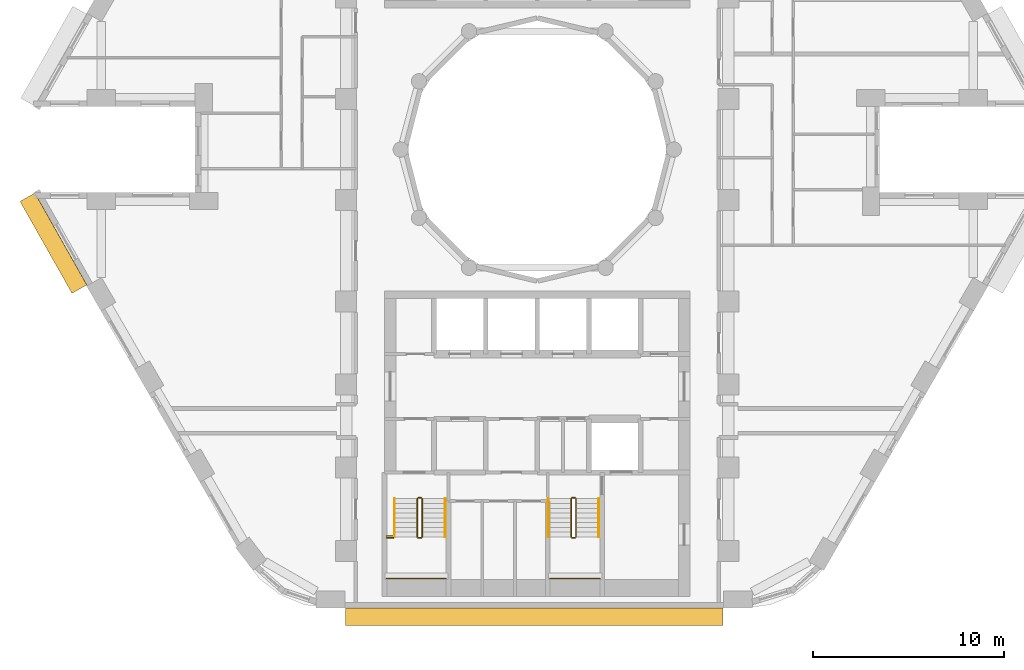
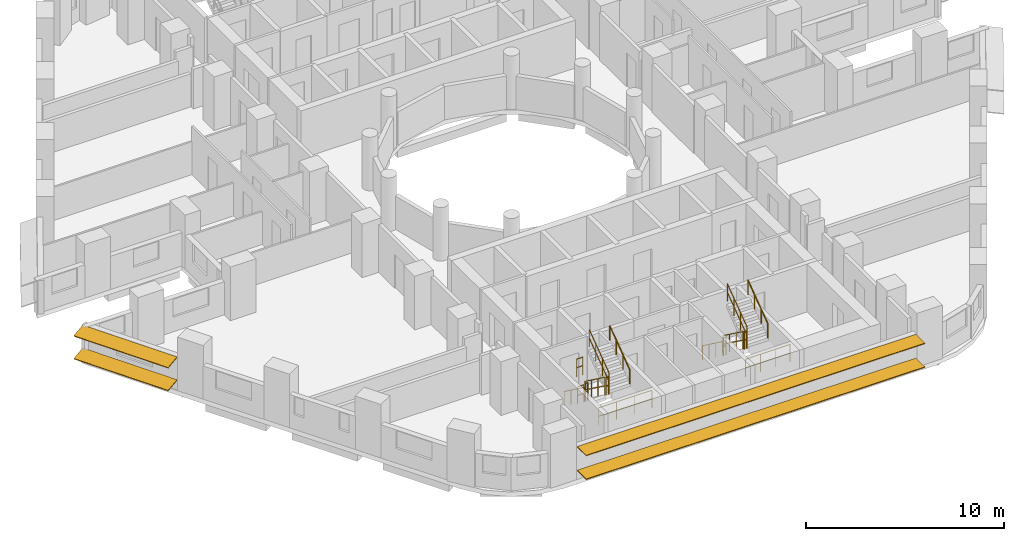
# One storey, part 11 of 13: 16 railings, 4 shading devices.
"""IFC4 building model written with IfcOpenShell, lengths in metres."""

from ifc_helpers import new_model, si_unit, direction, frame, origin, origin_2d, place, context, subcontext, project, spatial, rectangle, circle, extrude, material, material_profile, profile_set, type_object, element, save


model = new_model("IFC4")

# Units and contexts
model_context = context("Model", 3, precision=1e-05, world=origin(), true_north=direction((0.0, 1.0)))
body_context = subcontext(model_context, "Body", "Model", "MODEL_VIEW")
ifc_project = project(units=[si_unit("LENGTHUNIT", "METRE"), si_unit("AREAUNIT", "SQUARE_METRE"), si_unit("VOLUMEUNIT", "CUBIC_METRE"), si_unit("PLANEANGLEUNIT", "RADIAN"), si_unit("MASSUNIT", "GRAM", prefix="KILO")], contexts=[model_context])

# Site, building, storey
site_placement = place(None, origin())
site = spatial("IfcSite", under=ifc_project, at=site_placement, CompositionType="ELEMENT")
building_placement = place(site_placement, origin())
building = spatial("IfcBuilding", under=site, at=building_placement, Name="Nakaniwa Court", CompositionType="ELEMENT")
storey_placement = place(building_placement, frame((0.0, 0.0, 67.800048828125)))
storey = spatial("IfcBuildingStorey", under=building, at=storey_placement, Name="L18", CompositionType="ELEMENT", Elevation=67.800048828125)

# Shading devices
ifc_material_1 = material(Name="Perforated charcoal ceramic louvre blade")
ifc_material_profile = material_profile(ifc_material_1, rectangle(XDim=0.89990234375, YDim=0.050048828125, at=origin_2d()), Name="Perforated ceramic louvre blade")
ifc_profile_set = profile_set([ifc_material_profile], Name="Perforated charcoal ceramic louvre blade")
shading_device_type = type_object("IfcShadingDeviceType", Name="Perforated ceramic louvre blade", PredefinedType="JALOUSIE", material=ifc_profile_set)
for number, where, z_axis, x_axis, name in (
    (1, (53.31689453125, 77.508056640625, 0.550048828125), (0.492342539441, -0.870401530247, 0.0), (0.86275552304, 0.488017576221, 0.132256390257), "L18 perforated ceramic louvre blade w20 1"),
    (2, (53.31689453125, 77.508056640625, 1.95556640625), (0.492342539441, -0.870401530247, 0.0), (0.86275552304, 0.488017576221, 0.132256390257), "L18 perforated ceramic louvre blade w20 2"),
):
    element("IfcShadingDevice", number, at=place(storey_placement, frame(where, z_axis=z_axis, x_axis=x_axis)), inside=storey, type_object=shading_device_type, Name=name, PredefinedType="JALOUSIE", context=body_context, shape_type="SweptSolid", body=[
        extrude(rectangle(XDim=0.89990234375, YDim=0.050048828125, at=origin_2d()), origin(), (0.0, 0.0, 1.0), 5.526611328125),
    ])
for number, where, z_axis, x_axis, name in (
    (3, (69.97119140625, 55.550048828125, 0.550048828125), (1.0, 0.0, 0.0), (0.0, 1.0, 0.0), "L18 perforated ceramic louvre blade w26 1"),
    (4, (69.97119140625, 55.550048828125, 2.014892578125), (1.0, 0.0, 0.0), (0.0, 1.0, 0.0), "L18 perforated ceramic louvre blade w26 2"),
):
    element("IfcShadingDevice", number, at=place(storey_placement, frame(where, z_axis=z_axis, x_axis=x_axis)), inside=storey, type_object=shading_device_type, Name=name, PredefinedType="JALOUSIE", context=body_context, shape_type="SweptSolid", body=[
        extrude(rectangle(XDim=0.89990234375, YDim=0.050048828125, at=origin_2d()), origin(), (0.0, 0.0, 1.0), 19.739990234375),
    ])

# Railings
ifc_material_2 = material(Name="Black powder coated steel guard", Category="steel")
railing_type_1 = type_object("IfcRailingType", Name="Stair guard 1100", PredefinedType="GUARDRAIL", material=ifc_material_2)
railing_1_placement = place(storey_placement, frame((73.72509765625, 61.72509765625, 0.183349609375)))
element("IfcRailing", 5, at=railing_1_placement, inside=storey, type_object=railing_type_1, Name="L18 ST3 stair guard 1", PredefinedType="GUARDRAIL", context=body_context, shape_type="SweptSolid", body=[
    extrude(circle(Radius=0.02392578125, at=origin_2d()), frame((0.0, 0.0, 1.076171875), z_axis=(0.0, -0.806426902644, 0.591333789573), x_axis=(1.0, 0.0, 0.0)), (0.0, 0.0, 1.0), 2.47998046875),
    extrude(circle(Radius=0.02392578125, at=origin_2d()), frame((0.0, 0.0, 0.550048828125), z_axis=(0.0, -0.806426902644, 0.591333789573), x_axis=(1.0, 0.0, 0.0)), (0.0, 0.0, 1.0), 2.47998046875),
    extrude(circle(Radius=0.02099609375, at=origin_2d()), origin(), (0.0, 0.0, 1.0), 1.052001953125),
    extrude(circle(Radius=0.02099609375, at=origin_2d()), frame((0.0, -0.666748046875, 0.48876953125)), (0.0, 0.0, 1.0), 1.052001953125),
    extrude(circle(Radius=0.02099609375, at=origin_2d()), frame((0.0, -1.333251953125, 0.977783203125)), (0.0, 0.0, 1.0), 1.052001953125),
    extrude(circle(Radius=0.02099609375, at=origin_2d()), frame((0.0, -2.0, 1.466552734375)), (0.0, 0.0, 1.0), 1.052001953125),
])
railing_2_placement = place(storey_placement, frame((73.77490234375, 59.675048828125, 1.64990234375)))
element("IfcRailing", 6, at=railing_2_placement, inside=storey, type_object=railing_type_1, Name="L18 ST3 stair guard 2", PredefinedType="GUARDRAIL", context=body_context, shape_type="SweptSolid", body=[
    extrude(circle(Radius=0.02392578125, at=origin_2d()), frame((0.0, 0.0, 1.076171875), z_axis=(1.0, 0.0, 0.0), x_axis=(0.0, 1.0, 0.0)), (0.0, 0.0, 1.0), 0.150146484375),
    extrude(circle(Radius=0.02392578125, at=origin_2d()), frame((0.0, 0.0, 0.550048828125), z_axis=(1.0, 0.0, 0.0), x_axis=(0.0, 1.0, 0.0)), (0.0, 0.0, 1.0), 0.150146484375),
    extrude(circle(Radius=0.02099609375, at=origin_2d()), origin(), (0.0, 0.0, 1.0), 1.052001953125),
    extrude(circle(Radius=0.02099609375, at=origin_2d()), frame((0.150146484375, 0.0, 0.0)), (0.0, 0.0, 1.0), 1.052001953125),
])
railing_3_placement = place(storey_placement, frame((73.97509765625, 59.72509765625, 1.833251953125)))
element("IfcRailing", 7, at=railing_3_placement, inside=storey, type_object=railing_type_1, Name="L18 ST3 stair guard 3", PredefinedType="GUARDRAIL", context=body_context, shape_type="SweptSolid", body=[
    extrude(circle(Radius=0.02392578125, at=origin_2d()), frame((0.0, 0.0, 1.076171875), z_axis=(0.0, 0.806379959628, 0.591397802423), x_axis=(-1.0, 0.0, 0.0)), (0.0, 0.0, 1.0), 2.480224609375),
    extrude(circle(Radius=0.02392578125, at=origin_2d()), frame((0.0, 0.0, 0.550048828125), z_axis=(0.0, 0.806379959628, 0.591397802423), x_axis=(-1.0, 0.0, 0.0)), (0.0, 0.0, 1.0), 2.480224609375),
    extrude(circle(Radius=0.02099609375, at=origin_2d()), origin(), (0.0, 0.0, 1.0), 1.052001953125),
    extrude(circle(Radius=0.02099609375, at=origin_2d()), frame((0.0, 0.666748046875, 0.489013671875)), (0.0, 0.0, 1.0), 1.052001953125),
    extrude(circle(Radius=0.02099609375, at=origin_2d()), frame((0.0, 1.333251953125, 0.977783203125)), (0.0, 0.0, 1.0), 1.052001953125),
    extrude(circle(Radius=0.02099609375, at=origin_2d()), frame((0.0, 2.0, 1.466796875)), (0.0, 0.0, 1.0), 1.052001953125),
])
railing_4_placement = place(storey_placement, frame((73.77490234375, 61.77490234375, 0.0)))
element("IfcRailing", 8, at=railing_4_placement, inside=storey, type_object=railing_type_1, Name="L18 ST3 stair guard 4", PredefinedType="GUARDRAIL", context=body_context, shape_type="SweptSolid", body=[
    extrude(circle(Radius=0.02392578125, at=origin_2d()), frame((0.0, 0.0, 1.076171875), z_axis=(1.0, 0.0, 0.0), x_axis=(0.0, 1.0, 0.0)), (0.0, 0.0, 1.0), 0.150146484375),
    extrude(circle(Radius=0.02392578125, at=origin_2d()), frame((0.0, 0.0, 0.550048828125), z_axis=(1.0, 0.0, 0.0), x_axis=(0.0, 1.0, 0.0)), (0.0, 0.0, 1.0), 0.150146484375),
    extrude(circle(Radius=0.02099609375, at=origin_2d()), origin(), (0.0, 0.0, 1.0), 1.052001953125),
    extrude(circle(Radius=0.02099609375, at=origin_2d()), frame((0.150146484375, 0.0, 0.0)), (0.0, 0.0, 1.0), 1.052001953125),
])
railing_5_placement = place(storey_placement, frame((72.125, 57.550048828125, 1.64990234375)))
element("IfcRailing", 9, at=railing_5_placement, inside=storey, type_object=railing_type_1, Name="L18 ST3 landing end guard 1", PredefinedType="GUARDRAIL", context=body_context, shape_type="SweptSolid", body=[
    extrude(circle(Radius=0.02392578125, at=origin_2d()), frame((0.0, 0.0, 1.076171875), z_axis=(1.0, 0.0, 0.0), x_axis=(0.0, 1.0, 0.0)), (0.0, 0.0, 1.0), 3.10009765625),
    extrude(circle(Radius=0.02392578125, at=origin_2d()), frame((0.0, 0.0, 0.550048828125), z_axis=(1.0, 0.0, 0.0), x_axis=(0.0, 1.0, 0.0)), (0.0, 0.0, 1.0), 3.10009765625),
    extrude(circle(Radius=0.02099609375, at=origin_2d()), origin(), (0.0, 0.0, 1.0), 1.052001953125),
    extrude(circle(Radius=0.02099609375, at=origin_2d()), frame((1.033447265625, 0.0, 0.0)), (0.0, 0.0, 1.0), 1.052001953125),
    extrude(circle(Radius=0.02099609375, at=origin_2d()), frame((2.066650390625, 0.0, 0.0)), (0.0, 0.0, 1.0), 1.052001953125),
    extrude(circle(Radius=0.02099609375, at=origin_2d()), frame((3.10009765625, 0.0, 0.0)), (0.0, 0.0, 1.0), 1.052001953125),
])
for number, where, name in (
    (10, (72.125, 59.675048828125, 1.64990234375), "L18 ST3 landing side guard 1W"),
    (11, (72.125, 59.77490234375, 3.300048828125), "L18 ST3 floor edge guard 1W"),
):
    element("IfcRailing", number, at=place(storey_placement, frame(where)), inside=storey, type_object=railing_type_1, Name=name, PredefinedType="GUARDRAIL", context=body_context, shape_type="SweptSolid", body=[
        extrude(circle(Radius=0.02392578125, at=origin_2d()), frame((0.0, 0.0, 1.076171875), z_axis=(1.0, 0.0, 0.0), x_axis=(0.0, 1.0, 0.0)), (0.0, 0.0, 1.0), 0.35009765625),
        extrude(circle(Radius=0.02392578125, at=origin_2d()), frame((0.0, 0.0, 0.550048828125), z_axis=(1.0, 0.0, 0.0), x_axis=(0.0, 1.0, 0.0)), (0.0, 0.0, 1.0), 0.35009765625),
        extrude(circle(Radius=0.02099609375, at=origin_2d()), origin(), (0.0, 0.0, 1.0), 1.052001953125),
        extrude(circle(Radius=0.02099609375, at=origin_2d()), frame((0.35009765625, 0.0, 0.0)), (0.0, 0.0, 1.0), 1.052001953125),
    ])
railing_6_placement = place(storey_placement, frame((81.77490234375, 61.72509765625, 0.183349609375)))
element("IfcRailing", 12, at=railing_6_placement, inside=storey, type_object=railing_type_1, Name="L18 ST4 stair guard 1", PredefinedType="GUARDRAIL", context=body_context, shape_type="SweptSolid", body=[
    extrude(circle(Radius=0.02392578125, at=origin_2d()), frame((0.0, 0.0, 1.076171875), z_axis=(0.0, -0.806426902644, 0.591333789573), x_axis=(1.0, 0.0, 0.0)), (0.0, 0.0, 1.0), 2.47998046875),
    extrude(circle(Radius=0.02392578125, at=origin_2d()), frame((0.0, 0.0, 0.550048828125), z_axis=(0.0, -0.806426902644, 0.591333789573), x_axis=(1.0, 0.0, 0.0)), (0.0, 0.0, 1.0), 2.47998046875),
    extrude(circle(Radius=0.02099609375, at=origin_2d()), origin(), (0.0, 0.0, 1.0), 1.052001953125),
    extrude(circle(Radius=0.02099609375, at=origin_2d()), frame((0.0, -0.666748046875, 0.48876953125)), (0.0, 0.0, 1.0), 1.052001953125),
    extrude(circle(Radius=0.02099609375, at=origin_2d()), frame((0.0, -1.333251953125, 0.977783203125)), (0.0, 0.0, 1.0), 1.052001953125),
    extrude(circle(Radius=0.02099609375, at=origin_2d()), frame((0.0, -2.0, 1.466552734375)), (0.0, 0.0, 1.0), 1.052001953125),
])
railing_7_placement = place(storey_placement, frame((81.824951171875, 59.675048828125, 1.64990234375)))
element("IfcRailing", 13, at=railing_7_placement, inside=storey, type_object=railing_type_1, Name="L18 ST4 stair guard 2", PredefinedType="GUARDRAIL", context=body_context, shape_type="SweptSolid", body=[
    extrude(circle(Radius=0.02392578125, at=origin_2d()), frame((0.0, 0.0, 1.076171875), z_axis=(1.0, 0.0, 0.0), x_axis=(0.0, 1.0, 0.0)), (0.0, 0.0, 1.0), 0.150146484375),
    extrude(circle(Radius=0.02392578125, at=origin_2d()), frame((0.0, 0.0, 0.550048828125), z_axis=(1.0, 0.0, 0.0), x_axis=(0.0, 1.0, 0.0)), (0.0, 0.0, 1.0), 0.150146484375),
    extrude(circle(Radius=0.02099609375, at=origin_2d()), origin(), (0.0, 0.0, 1.0), 1.052001953125),
    extrude(circle(Radius=0.02099609375, at=origin_2d()), frame((0.150146484375, 0.0, 0.0)), (0.0, 0.0, 1.0), 1.052001953125),
])
railing_8_placement = place(storey_placement, frame((82.02490234375, 59.72509765625, 1.833251953125)))
element("IfcRailing", 14, at=railing_8_placement, inside=storey, type_object=railing_type_1, Name="L18 ST4 stair guard 3", PredefinedType="GUARDRAIL", context=body_context, shape_type="SweptSolid", body=[
    extrude(circle(Radius=0.02392578125, at=origin_2d()), frame((0.0, 0.0, 1.076171875), z_axis=(0.0, 0.806379959628, 0.591397802423), x_axis=(-1.0, 0.0, 0.0)), (0.0, 0.0, 1.0), 2.480224609375),
    extrude(circle(Radius=0.02392578125, at=origin_2d()), frame((0.0, 0.0, 0.550048828125), z_axis=(0.0, 0.806379959628, 0.591397802423), x_axis=(-1.0, 0.0, 0.0)), (0.0, 0.0, 1.0), 2.480224609375),
    extrude(circle(Radius=0.02099609375, at=origin_2d()), origin(), (0.0, 0.0, 1.0), 1.052001953125),
    extrude(circle(Radius=0.02099609375, at=origin_2d()), frame((0.0, 0.666748046875, 0.489013671875)), (0.0, 0.0, 1.0), 1.052001953125),
    extrude(circle(Radius=0.02099609375, at=origin_2d()), frame((0.0, 1.333251953125, 0.977783203125)), (0.0, 0.0, 1.0), 1.052001953125),
    extrude(circle(Radius=0.02099609375, at=origin_2d()), frame((0.0, 2.0, 1.466796875)), (0.0, 0.0, 1.0), 1.052001953125),
])
railing_9_placement = place(storey_placement, frame((81.824951171875, 61.77490234375, 0.0)))
element("IfcRailing", 15, at=railing_9_placement, inside=storey, type_object=railing_type_1, Name="L18 ST4 stair guard 4", PredefinedType="GUARDRAIL", context=body_context, shape_type="SweptSolid", body=[
    extrude(circle(Radius=0.02392578125, at=origin_2d()), frame((0.0, 0.0, 1.076171875), z_axis=(1.0, 0.0, 0.0), x_axis=(0.0, 1.0, 0.0)), (0.0, 0.0, 1.0), 0.150146484375),
    extrude(circle(Radius=0.02392578125, at=origin_2d()), frame((0.0, 0.0, 0.550048828125), z_axis=(1.0, 0.0, 0.0), x_axis=(0.0, 1.0, 0.0)), (0.0, 0.0, 1.0), 0.150146484375),
    extrude(circle(Radius=0.02099609375, at=origin_2d()), origin(), (0.0, 0.0, 1.0), 1.052001953125),
    extrude(circle(Radius=0.02099609375, at=origin_2d()), frame((0.150146484375, 0.0, 0.0)), (0.0, 0.0, 1.0), 1.052001953125),
])
railing_10_placement = place(storey_placement, frame((80.675048828125, 57.550048828125, 1.64990234375)))
element("IfcRailing", 16, at=railing_10_placement, inside=storey, type_object=railing_type_1, Name="L18 ST4 landing end guard 1", PredefinedType="GUARDRAIL", context=body_context, shape_type="SweptSolid", body=[
    extrude(circle(Radius=0.02392578125, at=origin_2d()), frame((0.0, 0.0, 1.076171875), z_axis=(1.0, 0.0, 0.0), x_axis=(0.0, 1.0, 0.0)), (0.0, 0.0, 1.0), 2.599853515625),
    extrude(circle(Radius=0.02392578125, at=origin_2d()), frame((0.0, 0.0, 0.550048828125), z_axis=(1.0, 0.0, 0.0), x_axis=(0.0, 1.0, 0.0)), (0.0, 0.0, 1.0), 2.599853515625),
    extrude(circle(Radius=0.02099609375, at=origin_2d()), origin(), (0.0, 0.0, 1.0), 1.052001953125),
    extrude(circle(Radius=0.02099609375, at=origin_2d()), frame((0.86669921875, 0.0, 0.0)), (0.0, 0.0, 1.0), 1.052001953125),
    extrude(circle(Radius=0.02099609375, at=origin_2d()), frame((1.733154296875, 0.0, 0.0)), (0.0, 0.0, 1.0), 1.052001953125),
    extrude(circle(Radius=0.02099609375, at=origin_2d()), frame((2.599853515625, 0.0, 0.0)), (0.0, 0.0, 1.0), 1.052001953125),
])
ifc_material_3 = material(Name="Black powder coated steel handrail", Category="steel")
railing_type_2 = type_object("IfcRailingType", Name="Stair handrail 900", PredefinedType="HANDRAIL", material=ifc_material_3)
railing_11_placement = place(storey_placement, frame((72.52490234375, 61.72509765625, 0.183349609375)))
element("IfcRailing", 17, at=railing_11_placement, inside=storey, type_object=railing_type_2, Name="L18 ST3 stair handrail 1", PredefinedType="HANDRAIL", context=body_context, shape_type="SweptSolid", body=[
    extrude(circle(Radius=0.02392578125, at=origin_2d()), frame((0.0, 0.0, 0.8759765625), z_axis=(0.0, -0.806426902644, 0.591333789573), x_axis=(1.0, 0.0, 0.0)), (0.0, 0.0, 1.0), 2.47998046875),
    extrude(circle(Radius=0.02099609375, at=origin_2d()), origin(), (0.0, 0.0, 1.0), 0.851806640625),
    extrude(circle(Radius=0.02099609375, at=origin_2d()), frame((0.0, -0.666748046875, 0.48876953125)), (0.0, 0.0, 1.0), 0.851806640625),
    extrude(circle(Radius=0.02099609375, at=origin_2d()), frame((0.0, -1.333251953125, 0.977783203125)), (0.0, 0.0, 1.0), 0.851806640625),
    extrude(circle(Radius=0.02099609375, at=origin_2d()), frame((0.0, -2.0, 1.466552734375)), (0.0, 0.0, 1.0), 0.851806640625),
])
railing_12_placement = place(storey_placement, frame((75.175048828125, 59.72509765625, 1.833251953125)))
element("IfcRailing", 18, at=railing_12_placement, inside=storey, type_object=railing_type_2, Name="L18 ST3 stair handrail 2", PredefinedType="HANDRAIL", context=body_context, shape_type="SweptSolid", body=[
    extrude(circle(Radius=0.02392578125, at=origin_2d()), frame((0.0, 0.0, 0.8759765625), z_axis=(0.0, 0.806379959628, 0.591397802423), x_axis=(-1.0, 0.0, 0.0)), (0.0, 0.0, 1.0), 2.480224609375),
    extrude(circle(Radius=0.02099609375, at=origin_2d()), origin(), (0.0, 0.0, 1.0), 0.851806640625),
    extrude(circle(Radius=0.02099609375, at=origin_2d()), frame((0.0, 0.666748046875, 0.489013671875)), (0.0, 0.0, 1.0), 0.851806640625),
    extrude(circle(Radius=0.02099609375, at=origin_2d()), frame((0.0, 1.333251953125, 0.977783203125)), (0.0, 0.0, 1.0), 0.851806640625),
    extrude(circle(Radius=0.02099609375, at=origin_2d()), frame((0.0, 2.0, 1.466796875)), (0.0, 0.0, 1.0), 0.851806640625),
])
railing_13_placement = place(storey_placement, frame((80.574951171875, 61.72509765625, 0.183349609375)))
element("IfcRailing", 19, at=railing_13_placement, inside=storey, type_object=railing_type_2, Name="L18 ST4 stair handrail 1", PredefinedType="HANDRAIL", context=body_context, shape_type="SweptSolid", body=[
    extrude(circle(Radius=0.02392578125, at=origin_2d()), frame((0.0, 0.0, 0.8759765625), z_axis=(0.0, -0.806426902644, 0.591333789573), x_axis=(1.0, 0.0, 0.0)), (0.0, 0.0, 1.0), 2.47998046875),
    extrude(circle(Radius=0.02099609375, at=origin_2d()), origin(), (0.0, 0.0, 1.0), 0.851806640625),
    extrude(circle(Radius=0.02099609375, at=origin_2d()), frame((0.0, -0.666748046875, 0.48876953125)), (0.0, 0.0, 1.0), 0.851806640625),
    extrude(circle(Radius=0.02099609375, at=origin_2d()), frame((0.0, -1.333251953125, 0.977783203125)), (0.0, 0.0, 1.0), 0.851806640625),
    extrude(circle(Radius=0.02099609375, at=origin_2d()), frame((0.0, -2.0, 1.466552734375)), (0.0, 0.0, 1.0), 0.851806640625),
])
railing_14_placement = place(storey_placement, frame((83.22509765625, 59.72509765625, 1.833251953125)))
element("IfcRailing", 20, at=railing_14_placement, inside=storey, type_object=railing_type_2, Name="L18 ST4 stair handrail 2", PredefinedType="HANDRAIL", context=body_context, shape_type="SweptSolid", body=[
    extrude(circle(Radius=0.02392578125, at=origin_2d()), frame((0.0, 0.0, 0.8759765625), z_axis=(0.0, 0.806379959628, 0.591397802423), x_axis=(-1.0, 0.0, 0.0)), (0.0, 0.0, 1.0), 2.480224609375),
    extrude(circle(Radius=0.02099609375, at=origin_2d()), origin(), (0.0, 0.0, 1.0), 0.851806640625),
    extrude(circle(Radius=0.02099609375, at=origin_2d()), frame((0.0, 0.666748046875, 0.489013671875)), (0.0, 0.0, 1.0), 0.851806640625),
    extrude(circle(Radius=0.02099609375, at=origin_2d()), frame((0.0, 1.333251953125, 0.977783203125)), (0.0, 0.0, 1.0), 0.851806640625),
    extrude(circle(Radius=0.02099609375, at=origin_2d()), frame((0.0, 2.0, 1.466796875)), (0.0, 0.0, 1.0), 0.851806640625),
])

save(model, "model.ifc")
